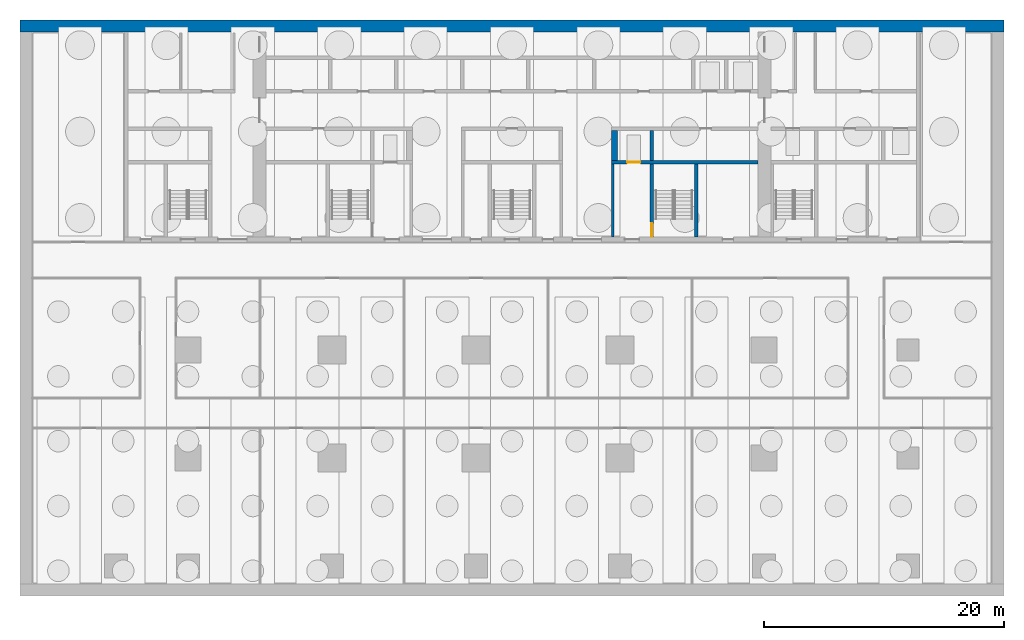
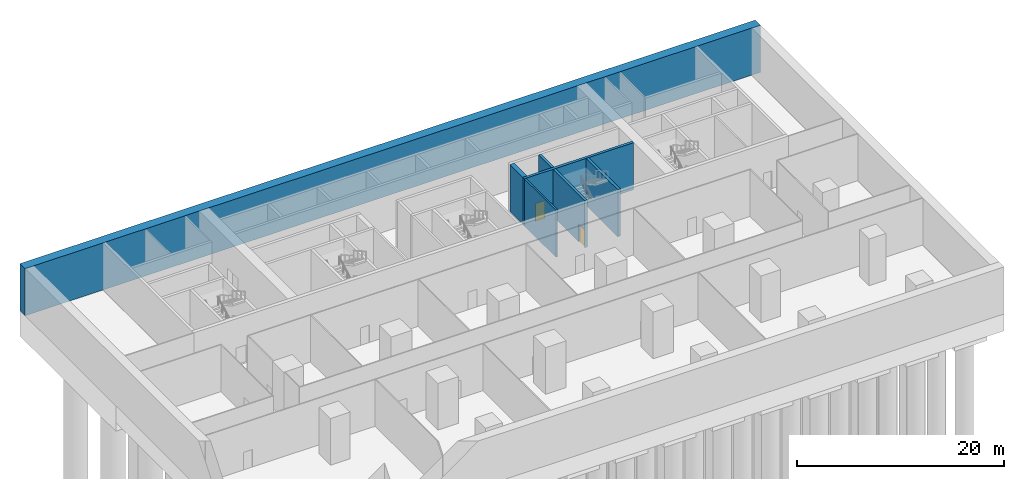
# One storey, part 6 of 11: 7 walls, 2 doors, 2 openings.
"""IFC4 building model written with IfcOpenShell, lengths in metres."""

from ifc_helpers import new_model, si_unit, direction, frame, frame_2d, origin, place, context, subcontext, project, spatial, rectangle, extrude, material, layer, layer_set, type_object, element, fill, save


model = new_model("IFC4")

# Units and contexts
model_context = context("Model", 3, precision=1e-05, world=origin(), true_north=direction((0.0, 1.0)))
body_context = subcontext(model_context, "Body", "Model", "MODEL_VIEW")
ifc_project = project(units=[si_unit("LENGTHUNIT", "METRE"), si_unit("AREAUNIT", "SQUARE_METRE"), si_unit("VOLUMEUNIT", "CUBIC_METRE"), si_unit("PLANEANGLEUNIT", "RADIAN"), si_unit("MASSUNIT", "GRAM", prefix="KILO")], contexts=[model_context])

# Site, building, storey
site_placement = place(None, origin())
site = spatial("IfcSite", under=ifc_project, at=site_placement, CompositionType="ELEMENT")
building_placement = place(site_placement, origin())
building = spatial("IfcBuilding", under=site, at=building_placement, Name="Calvaro Tower", CompositionType="ELEMENT")
storey_placement = place(building_placement, frame((0.0, 0.0, -12.0)))
storey = spatial("IfcBuildingStorey", under=building, at=storey_placement, Name="B2", CompositionType="ELEMENT", Elevation=-12.0)

# Wall
ifc_material_1 = material(Name="Blockwork partition", Category="masonry")
ifc_layer_1 = layer(ifc_material_1, 0.199951171875)
ifc_layer_set_1 = layer_set([ifc_layer_1], Name="Blockwork partition")
wall_type_1 = type_object("IfcWallType", Name="Core partition 200 REI 120", PredefinedType="PARTITIONING", material=ifc_layer_set_1)
wall_1_placement = place(storey_placement, frame((47.39990234375, 28.39990234375, 0.0), z_axis=(0.0, 0.0, 1.0), x_axis=(0.0, 1.0, 0.0)))
element("IfcWall", 1, at=wall_1_placement, inside=storey, type_object=wall_type_1, Name="Core partition", PredefinedType="PARTITIONING", context=body_context, shape_type="SweptSolid", body=[
    extrude(rectangle(XDim=6.10009765625, YDim=0.199951171875, at=frame_2d((3.050048828125, 0.0))), origin(), (0.0, 0.0, 1.0), 5.550048828125),
])

# Wall, opening, door
ifc_material_2 = material(Name="Concrete C80/95", Category="concrete")
ifc_layer_2 = layer(ifc_material_2, 0.300048828125)
ifc_layer_set_2 = layer_set([ifc_layer_2], Name="Concrete C80/95")
wall_type_2 = type_object("IfcWallType", Name="Core wall C80/95 300", PredefinedType="SHEAR", material=ifc_layer_set_2)
wall_2_placement = place(storey_placement, frame((50.64990234375, 34.5, 0.0), z_axis=(0.0, 0.0, 1.0), x_axis=(0.0, -1.0, 0.0)))
wall_2 = element("IfcWall", 2, at=wall_2_placement, inside=storey, type_object=wall_type_2, Name="Core wall, stair enclosure", PredefinedType="SHEAR", context=body_context, shape_type="SweptSolid", body=[
    extrude(rectangle(XDim=6.10009765625, YDim=0.300048828125, at=frame_2d((3.050048828125, 0.0))), origin(), (0.0, 0.0, 1.0), 5.550048828125),
])
opening_1_placement = place(wall_2_placement, frame((4.949951171875, 0.0, 0.0)))
opening_1 = element("IfcOpeningElement", 3, at=opening_1_placement, cuts=wall_2, Name="Opening FD11D", PredefinedType="OPENING", context=body_context, shape_type="SweptSolid", body=[
    extrude(rectangle(XDim=1.10009765625, YDim=2.10009765625, at=frame_2d((0.550048828125, 1.050048828125))), frame((0.0, 0.159912109375, 0.0), z_axis=(0.0, -1.0, 0.0), x_axis=(1.0, 0.0, 0.0)), (0.0, 0.0, 1.0), 0.320068359375),
])
ifc_material_3 = material(Name="Steel door set", Category="steel")
door_type_1 = type_object("IfcDoorType", Name="Fire door 1100 FD30S", OperationType="SINGLE_SWING_LEFT", PredefinedType="DOOR", material=ifc_material_3)
door_1_placement = place(opening_1_placement, origin())
door_1 = element("IfcDoor", 4, at=door_1_placement, inside=storey, type_object=door_type_1, Name="Fire door", OperationType="SINGLE_SWING_RIGHT", OverallHeight=2.10009765625, OverallWidth=1.10009765625, PredefinedType="DOOR", context=body_context, shape_type="SweptSolid", body=[
    extrude(rectangle(XDim=1.10009765625, YDim=2.10009765625, at=frame_2d((0.550048828125, 1.050048828125))), frame((0.0, 0.02490234375, 0.0), z_axis=(0.0, -1.0, 0.0), x_axis=(1.0, 0.0, 0.0)), (0.0, 0.0, 1.0), 0.050048828125),
])
fill(opening_1, door_1)

# Wall
wall_3_placement = place(storey_placement, frame((54.35009765625, 28.39990234375, 0.0), z_axis=(0.0, 0.0, 1.0), x_axis=(0.0, 1.0, 0.0)))
element("IfcWall", 5, at=wall_3_placement, inside=storey, type_object=wall_type_2, Name="Core wall, stair enclosure", PredefinedType="SHEAR", context=body_context, shape_type="SweptSolid", body=[
    extrude(rectangle(XDim=6.10009765625, YDim=0.300048828125, at=frame_2d((3.050048828125, 0.0))), origin(), (0.0, 0.0, 1.0), 5.550048828125),
])

# Wall, opening, door
wall_4_placement = place(storey_placement, frame((47.300048828125, 34.64990234375, 0.0), z_axis=(0.0, 0.0, 1.0), x_axis=(1.0, 0.0, 0.0)))
wall_4 = element("IfcWall", 6, at=wall_4_placement, inside=storey, type_object=wall_type_2, Name="Core wall, lift shaft", PredefinedType="SHEAR", context=body_context, shape_type="SweptSolid", body=[
    extrude(rectangle(XDim=12.199951171875, YDim=0.300048828125, at=frame_2d((6.10009765625, 0.0))), origin(), (0.0, 0.0, 1.0), 5.550048828125),
])
opening_2_placement = place(wall_4_placement, frame((1.300048828125, 0.0, 0.0)))
opening_2 = element("IfcOpeningElement", 7, at=opening_2_placement, cuts=wall_4, Name="Opening FF2", PredefinedType="OPENING", context=body_context, shape_type="SweptSolid", body=[
    extrude(rectangle(XDim=1.10009765625, YDim=2.10009765625, at=frame_2d((0.550048828125, 1.050048828125))), frame((0.0, 0.159912109375, 0.0), z_axis=(0.0, -1.0, 0.0), x_axis=(1.0, 0.0, 0.0)), (0.0, 0.0, 1.0), 0.320068359375),
])
ifc_material_4 = material(Name="Stainless steel", Category="steel")
door_type_2 = type_object("IfcDoorType", Name="Landing door 1100 E 60", OperationType="SLIDING_TO_LEFT", PredefinedType="DOOR", material=ifc_material_4)
door_2_placement = place(opening_2_placement, origin())
door_2 = element("IfcDoor", 8, at=door_2_placement, inside=storey, type_object=door_type_2, Name="Landing door FF2", OperationType="SLIDING_TO_LEFT", OverallHeight=2.10009765625, OverallWidth=1.10009765625, PredefinedType="DOOR", context=body_context, shape_type="SweptSolid", body=[
    extrude(rectangle(XDim=1.10009765625, YDim=2.10009765625, at=frame_2d((0.550048828125, 1.050048828125))), frame((0.0, 0.02490234375, 0.0), z_axis=(0.0, -1.0, 0.0), x_axis=(1.0, 0.0, 0.0)), (0.0, 0.0, 1.0), 0.050048828125),
])
fill(opening_2, door_2)

# Walls
wall_5_placement = place(storey_placement, frame((50.64990234375, 34.800048828125, 0.0), z_axis=(0.0, 0.0, 1.0), x_axis=(0.0, 1.0, 0.0)))
element("IfcWall", 9, at=wall_5_placement, inside=storey, type_object=wall_type_2, Name="Core wall, lift shaft", PredefinedType="SHEAR", context=body_context, shape_type="SweptSolid", body=[
    extrude(rectangle(XDim=2.5, YDim=0.300048828125, at=frame_2d((1.25, 0.0))), origin(), (0.0, 0.0, 1.0), 5.550048828125),
])
ifc_material_5 = material(Name="Concrete C80/95", Category="concrete")
ifc_layer_3 = layer(ifc_material_5, 0.5)
ifc_layer_set_3 = layer_set([ifc_layer_3], Name="Concrete C80/95")
wall_type_3 = type_object("IfcWallType", Name="Core wall C80/95 500", PredefinedType="SHEAR", material=ifc_layer_set_3)
wall_6_placement = place(storey_placement, frame((47.550048828125, 34.800048828125, 0.0), z_axis=(0.0, 0.0, 1.0), x_axis=(0.0, 1.0, 0.0)))
element("IfcWall", 10, at=wall_6_placement, inside=storey, type_object=wall_type_3, Name="Core wall, lift shaft", PredefinedType="SHEAR", context=body_context, shape_type="SweptSolid", body=[
    extrude(rectangle(XDim=2.5, YDim=0.5, at=frame_2d((1.25, 0.0))), origin(), (0.0, 0.0, 1.0), 5.550048828125),
])
ifc_material_6 = material(Name="Concrete C32/40", Category="concrete")
ifc_layer_4 = layer(ifc_material_6, 1.0)
ifc_layer_set_4 = layer_set([ifc_layer_4], Name="Concrete C32/40")
wall_type_4 = type_object("IfcWallType", Name="Retaining wall 1000 C32/40", PredefinedType="SOLIDWALL", material=ifc_layer_set_4)
wall_7_placement = place(storey_placement, frame((-2.0, 46.0, 0.0), z_axis=(0.0, 0.0, 1.0), x_axis=(1.0, 0.0, 0.0)))
element("IfcWall", 11, at=wall_7_placement, inside=storey, type_object=wall_type_4, Name="Basement wall", PredefinedType="SOLIDWALL", context=body_context, shape_type="SweptSolid", body=[
    extrude(rectangle(XDim=82.0, YDim=1.0, at=frame_2d((41.0, 0.0))), origin(), (0.0, 0.0, 1.0), 5.550048828125),
])

save(model, "model.ifc")
